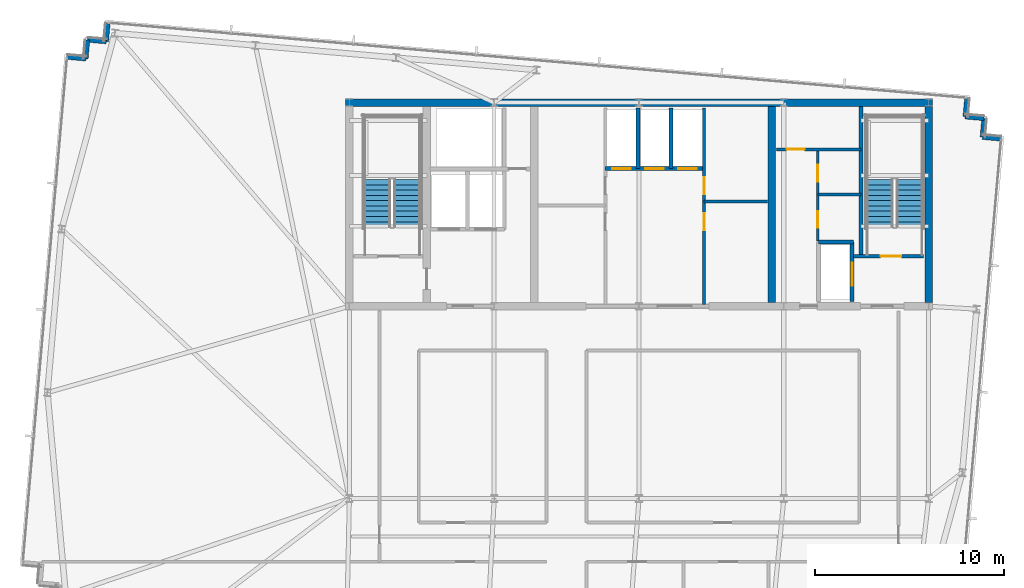
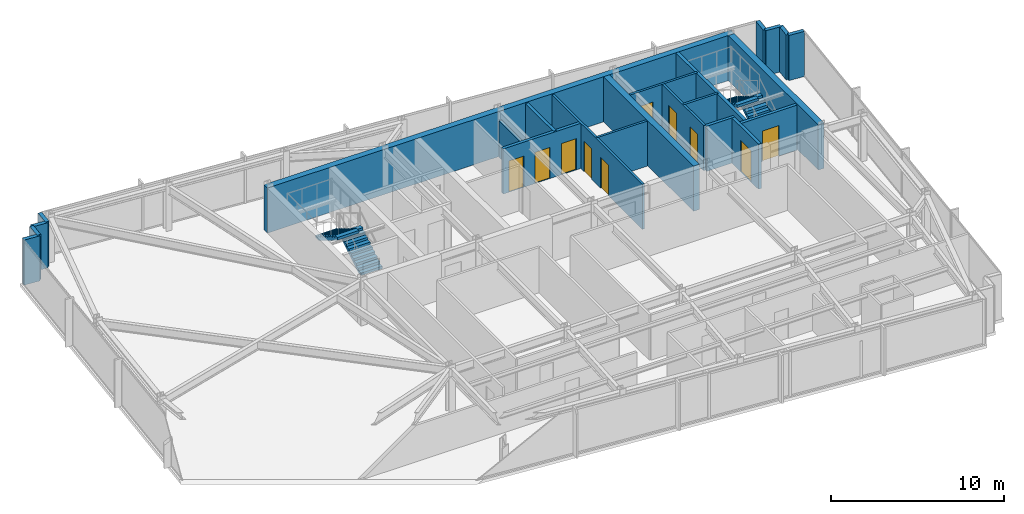
# One storey, part 28 of 32: 23 walls, 10 doors, 4 stair flights, 10 openings, 2 elements without a shape of their own.
"""IFC4 building model written with IfcOpenShell, lengths in metres."""

from ifc_helpers import new_model, si_unit, direction, frame, frame_2d, origin, place, context, subcontext, project, spatial, polyline, rectangle, outline, extrude, material, layer, layer_set, type_object, element, fill, aggregate, save


model = new_model("IFC4")

# Units and contexts
model_context = context("Model", 3, precision=1e-05, world=origin(), true_north=direction((0.0, 1.0)))
body_context = subcontext(model_context, "Body", "Model", "MODEL_VIEW")
ifc_project = project(units=[si_unit("LENGTHUNIT", "METRE"), si_unit("AREAUNIT", "SQUARE_METRE"), si_unit("VOLUMEUNIT", "CUBIC_METRE"), si_unit("PLANEANGLEUNIT", "RADIAN"), si_unit("MASSUNIT", "GRAM", prefix="KILO")], contexts=[model_context])

# Site, building, storey
site_placement = place(None, origin())
site = spatial("IfcSite", under=ifc_project, at=site_placement, CompositionType="ELEMENT")
building_placement = place(site_placement, origin())
building = spatial("IfcBuilding", under=site, at=building_placement, Name="Yelkora Congress Tower", CompositionType="ELEMENT")
storey_placement = place(building_placement, frame((0.0, 0.0, 279.5)))
storey = spatial("IfcBuildingStorey", under=building, at=storey_placement, Name="L78", CompositionType="ELEMENT", Elevation=279.5)

# Walls
ifc_material_1 = material(Name="Concrete C50/60", Category="concrete")
ifc_layer_1 = layer(ifc_material_1, 0.219970703125)
ifc_layer_set_1 = layer_set([ifc_layer_1], Name="Concrete C50/60")
wall_type_1 = type_object("IfcWallType", Name="WALL-CORE-INT-220", PredefinedType="SHEAR", material=ifc_layer_set_1)
wall_1_placement = place(storey_placement, frame((50.179931640625, 38.050048828125, 0.0), z_axis=(0.0, 0.0, 1.0), x_axis=(0.0, 1.0, 0.0)))
element("IfcWall", 1, at=wall_1_placement, inside=storey, type_object=wall_type_1, Name="L78 ST02 West Stair Shear Wall", PredefinedType="SHEAR", context=body_context, shape_type="SweptSolid", body=[
    extrude(rectangle(XDim=7.949951171875, YDim=0.219970703125, at=frame_2d((3.97509765625, 0.0))), origin(), (0.0, 0.0, 1.0), 3.179931640625),
])
ifc_layer_2 = layer(ifc_material_1, 0.39990234375)
ifc_layer_set_2 = layer_set([ifc_layer_2], Name="Concrete C50/60")
wall_type_2 = type_object("IfcWallType", Name="WALL-CORE-INT-400", PredefinedType="SHEAR", material=ifc_layer_set_2)
wall_2_placement = place(storey_placement, frame((22.840087890625, 46.199951171875, 0.0), z_axis=(0.0, 0.0, 1.0), x_axis=(1.0, 0.0, 0.0)))
element("IfcWall", 2, at=wall_2_placement, inside=storey, type_object=wall_type_2, Name="L78 Rear Core North Shear Wall", PredefinedType="SHEAR", context=body_context, shape_type="SweptSolid", body=[
    extrude(rectangle(XDim=31.119873046875, YDim=0.39990234375, at=frame_2d((15.56005859375, 0.0))), origin(), (0.0, 0.0, 1.0), 3.179931640625),
])
for number, where, z_axis, x_axis, name in (
    (3, (45.449951171875, 35.60009765625, 0.0), (0.0, 0.0, 1.0), (0.0, 1.0, 0.0), "L78 Rear Core Cross Shear Wall C3"),
    (4, (53.760009765625, 35.60009765625, 0.0), (0.0, 0.0, 1.0), (0.0, 1.0, 0.0), "L78 Rear Core Cross Shear Wall E"),
):
    element("IfcWall", number, at=place(storey_placement, frame(where, z_axis=z_axis, x_axis=x_axis)), inside=storey, type_object=wall_type_2, Name=name, PredefinedType="SHEAR", context=body_context, shape_type="SweptSolid", body=[
        extrude(rectangle(XDim=10.39990234375, YDim=0.39990234375, at=frame_2d((5.199951171875, 0.0))), origin(), (0.0, 0.0, 1.0), 3.179931640625),
    ])
ifc_material_2 = material(Name="Concrete C40/50", Category="concrete")
ifc_layer_3 = layer(ifc_material_2, 0.239990234375)
ifc_layer_set_3 = layer_set([ifc_layer_3], Name="Concrete C40/50")
wall_type_3 = type_object("IfcWallType", Name="WALL-EXT-LIMESTONE-240", PredefinedType="SOLIDWALL", material=ifc_layer_set_3)
for number, where, z_axis, x_axis, name in (
    (5, (8.0732421875, 48.609619140625, 0.0), (0.0, 0.0, 1.0), (0.996195572005, -0.087145753297, 0.0), "L78 Serrated Corner Limestone Pier 6"),
    (6, (9.069580078125, 48.5224609375, 0.0), (0.0, 0.0, 1.0), (0.087145753297, 0.996195572005, 0.0), "L78 Serrated Corner Limestone Pier 7"),
):
    element("IfcWall", number, at=place(storey_placement, frame(where, z_axis=z_axis, x_axis=x_axis)), inside=storey, type_object=wall_type_3, Name=name, PredefinedType="SOLIDWALL", context=body_context, shape_type="SweptSolid", body=[
        extrude(rectangle(XDim=1.000244140625, YDim=0.239990234375, at=frame_2d((0.5, 0.0))), origin(), (0.0, 0.0, 1.0), 3.179931640625),
    ])
for number, where, z_axis, x_axis, name in (
    (7, (9.15673828125, 49.518798828125, 0.0), (0.0, 0.0, 1.0), (0.996193717496, -0.087166950281, 0.0), "L78 Serrated Corner Limestone Pier 8"),
    (8, (10.15283203125, 49.431640625, 0.0), (0.0, 0.0, 1.0), (0.087166950281, 0.996193717496, 0.0), "L78 Serrated Corner Limestone Pier 9"),
    (9, (55.785888671875, 46.443115234375, 0.0), (0.0, 0.0, 1.0), (-0.086903493655, -0.996216734848, 0.0), "L78 Serrated Corner Limestone Pier 11"),
    (10, (55.698974609375, 45.44677734375, 0.0), (0.0, 0.0, 1.0), (0.996193717496, -0.087166950281, 0.0), "L78 Serrated Corner Limestone Pier 12"),
    (11, (56.695068359375, 45.359619140625, 0.0), (0.0, 0.0, 1.0), (-0.087166950281, -0.996193717496, 0.0), "L78 Serrated Corner Limestone Pier 13"),
    (12, (56.60791015625, 44.363525390625, 0.0), (0.0, 0.0, 1.0), (0.996193717496, -0.087166950281, 0.0), "L78 Serrated Corner Limestone Pier 14"),
):
    element("IfcWall", number, at=place(storey_placement, frame(where, z_axis=z_axis, x_axis=x_axis)), inside=storey, type_object=wall_type_3, Name=name, PredefinedType="SOLIDWALL", context=body_context, shape_type="SweptSolid", body=[
        extrude(rectangle(XDim=1.0, YDim=0.239990234375, at=frame_2d((0.5, 0.0))), origin(), (0.0, 0.0, 1.0), 3.179931640625),
    ])

# Wall, opening, door
ifc_material_3 = material(Name="Acoustic metal-stud gypsum partition", Category="gypsum")
ifc_layer_4 = layer(ifc_material_3, 0.14990234375)
ifc_layer_set_4 = layer_set([ifc_layer_4], Name="Acoustic metal-stud gypsum partition")
wall_type_4 = type_object("IfcWallType", Name="WALL-INT-150-NR", PredefinedType="PARTITIONING", material=ifc_layer_set_4)
wall_3_placement = place(storey_placement, frame((45.679931640625, 43.719970703125, 0.0), z_axis=(0.0, 0.0, 1.0), x_axis=(1.0, 0.0, 0.0)))
wall_3 = element("IfcWall", 13, at=wall_3_placement, inside=storey, type_object=wall_type_4, Name="L78 Partition Wall 20", PredefinedType="PARTITIONING", context=body_context, shape_type="SweptSolid", body=[
    extrude(rectangle(XDim=4.5, YDim=0.14990234375, at=frame_2d((2.25, 0.0))), origin(), (0.0, 0.0, 1.0), 3.179931640625),
])
opening_1_placement = place(wall_3_placement, frame((0.550048828125, 0.0, 0.0)))
opening_1 = element("IfcOpeningElement", 14, at=opening_1_placement, cuts=wall_3, Name="Opening DR-095N", PredefinedType="OPENING", context=body_context, shape_type="SweptSolid", body=[
    extrude(rectangle(XDim=0.949951171875, YDim=2.14990234375, at=frame_2d((0.47509765625, 1.074951171875))), frame((0.0, 0.0849609375, 0.0), z_axis=(0.0, -1.0, 0.0), x_axis=(1.0, 0.0, 0.0)), (0.0, 0.0, 1.0), 0.169921875),
])
ifc_material_4 = material(Name="Acoustic laminated timber office door", Category="wood")
door_type_1 = type_object("IfcDoorType", Name="DOOR-INT-950", OperationType="NOTDEFINED", PredefinedType="DOOR", material=ifc_material_4)
door_1_placement = place(opening_1_placement, origin())
door_1 = element("IfcDoor", 15, at=door_1_placement, inside=storey, type_object=door_type_1, Name="L78 Accessible WC Door", OperationType="SINGLE_SWING_LEFT", OverallHeight=2.14990234375, OverallWidth=0.949951171875, PredefinedType="DOOR", context=body_context, shape_type="SweptSolid", body=[
    extrude(rectangle(XDim=0.949951171875, YDim=2.14990234375, at=frame_2d((0.47509765625, 1.074951171875))), frame((0.0, 0.02490234375, 0.0), z_axis=(0.0, -1.0, 0.0), x_axis=(1.0, 0.0, 0.0)), (0.0, 0.0, 1.0), 0.050048828125),
])
fill(opening_1, door_1)

# Wall
wall_4_placement = place(storey_placement, frame((47.8798828125, 41.320068359375, 0.0), z_axis=(0.0, 0.0, 1.0), x_axis=(1.0, 0.0, 0.0)))
element("IfcWall", 16, at=wall_4_placement, inside=storey, type_object=wall_type_4, Name="L78 Partition Wall 21", PredefinedType="PARTITIONING", context=body_context, shape_type="SweptSolid", body=[
    extrude(rectangle(XDim=2.300048828125, YDim=0.14990234375, at=frame_2d((1.14990234375, 0.0))), origin(), (0.0, 0.0, 1.0), 3.179931640625),
])

# Wall, openings, doors
wall_5_placement = place(storey_placement, frame((47.8798828125, 38.85009765625, 0.0), z_axis=(0.0, 0.0, 1.0), x_axis=(0.0, 1.0, 0.0)))
wall_5 = element("IfcWall", 17, at=wall_5_placement, inside=storey, type_object=wall_type_4, Name="L78 Partition Wall 22", PredefinedType="PARTITIONING", context=body_context, shape_type="SweptSolid", body=[
    extrude(rectangle(XDim=4.869873046875, YDim=0.14990234375, at=frame_2d((2.43505859375, 0.0))), origin(), (0.0, 0.0, 1.0), 3.179931640625),
])
opening_2_placement = place(wall_5_placement, frame((0.699951171875, 0.0, 0.0)))
opening_2 = element("IfcOpeningElement", 18, at=opening_2_placement, cuts=wall_5, Name="Opening DR-090N", PredefinedType="OPENING", context=body_context, shape_type="SweptSolid", body=[
    extrude(rectangle(XDim=0.89990234375, YDim=2.14990234375, at=frame_2d((0.449951171875, 1.074951171875))), frame((0.0, 0.0849609375, 0.0), z_axis=(0.0, -1.0, 0.0), x_axis=(1.0, 0.0, 0.0)), (0.0, 0.0, 1.0), 0.169921875),
])
opening_3_placement = place(wall_5_placement, frame((3.14990234375, 0.0, 0.0)))
opening_3 = element("IfcOpeningElement", 19, at=opening_3_placement, cuts=wall_5, Name="Opening DR-090N", PredefinedType="OPENING", context=body_context, shape_type="SweptSolid", body=[
    extrude(rectangle(XDim=0.89990234375, YDim=2.14990234375, at=frame_2d((0.449951171875, 1.074951171875))), frame((0.0, 0.0849609375, 0.0), z_axis=(0.0, -1.0, 0.0), x_axis=(1.0, 0.0, 0.0)), (0.0, 0.0, 1.0), 0.169921875),
])
ifc_material_5 = material(Name="Moisture-resistant laminate door leaf", Category="wood")
door_type_2 = type_object("IfcDoorType", Name="DOOR-INT-900", OperationType="NOTDEFINED", PredefinedType="DOOR", material=ifc_material_5)
door_2_placement = place(opening_2_placement, origin())
door_2 = element("IfcDoor", 20, at=door_2_placement, inside=storey, type_object=door_type_2, Name="L78 Male WC Door", OperationType="SINGLE_SWING_RIGHT", OverallHeight=2.14990234375, OverallWidth=0.89990234375, PredefinedType="DOOR", context=body_context, shape_type="SweptSolid", body=[
    extrude(rectangle(XDim=0.89990234375, YDim=2.14990234375, at=frame_2d((0.449951171875, 1.074951171875))), frame((0.0, 0.02490234375, 0.0), z_axis=(0.0, -1.0, 0.0), x_axis=(1.0, 0.0, 0.0)), (0.0, 0.0, 1.0), 0.050048828125),
])
fill(opening_2, door_2)
door_3_placement = place(opening_3_placement, origin())
door_3 = element("IfcDoor", 21, at=door_3_placement, inside=storey, type_object=door_type_2, Name="L78 Female WC Door", OperationType="SINGLE_SWING_LEFT", OverallHeight=2.14990234375, OverallWidth=0.89990234375, PredefinedType="DOOR", context=body_context, shape_type="SweptSolid", body=[
    extrude(rectangle(XDim=0.89990234375, YDim=2.14990234375, at=frame_2d((0.449951171875, 1.074951171875))), frame((0.0, 0.02490234375, 0.0), z_axis=(0.0, -1.0, 0.0), x_axis=(1.0, 0.0, 0.0)), (0.0, 0.0, 1.0), 0.050048828125),
])
fill(opening_3, door_3)

# Wall
ifc_material_6 = material(Name="Twin-stud fire-rated gypsum partition", Category="gypsum")
ifc_layer_5 = layer(ifc_material_6, 0.14990234375)
ifc_layer_set_5 = layer_set([ifc_layer_5], Name="Twin-stud fire-rated gypsum partition")
wall_type_5 = type_object("IfcWallType", Name="WALL-INT-150-R60", PredefinedType="PARTITIONING", material=ifc_layer_set_5)
wall_6_placement = place(storey_placement, frame((41.85009765625, 40.949951171875, 0.0), z_axis=(0.0, 0.0, 1.0), x_axis=(1.0, 0.0, 0.0)))
element("IfcWall", 22, at=wall_6_placement, inside=storey, type_object=wall_type_5, Name="L78 Partition Wall 13", PredefinedType="PARTITIONING", context=body_context, shape_type="SweptSolid", body=[
    extrude(rectangle(XDim=3.369873046875, YDim=0.14990234375, at=frame_2d((1.68505859375, 0.0))), origin(), (0.0, 0.0, 1.0), 3.179931640625),
])

# Wall, openings, doors
wall_7_placement = place(storey_placement, frame((41.85009765625, 35.5, 0.0), z_axis=(0.0, 0.0, 1.0), x_axis=(0.0, 1.0, 0.0)))
wall_7 = element("IfcWall", 23, at=wall_7_placement, inside=storey, type_object=wall_type_5, Name="L78 Partition Wall 14", PredefinedType="PARTITIONING", context=body_context, shape_type="SweptSolid", body=[
    extrude(rectangle(XDim=10.419921875, YDim=0.14990234375, at=frame_2d((5.2099609375, 0.0))), origin(), (0.0, 0.0, 1.0), 3.179931640625),
])
opening_4_placement = place(wall_7_placement, frame((3.919921875, 0.0, 0.0)))
opening_4 = element("IfcOpeningElement", 24, at=opening_4_placement, cuts=wall_7, Name="Opening DR-090F6", PredefinedType="OPENING", context=body_context, shape_type="SweptSolid", body=[
    extrude(rectangle(XDim=0.89990234375, YDim=2.14990234375, at=frame_2d((0.449951171875, 1.074951171875))), frame((0.0, 0.0849609375, 0.0), z_axis=(0.0, -1.0, 0.0), x_axis=(1.0, 0.0, 0.0)), (0.0, 0.0, 1.0), 0.169921875),
])
opening_5_placement = place(wall_7_placement, frame((5.85009765625, 0.0, 0.0)))
opening_5 = element("IfcOpeningElement", 25, at=opening_5_placement, cuts=wall_7, Name="Opening DR-090F6", PredefinedType="OPENING", context=body_context, shape_type="SweptSolid", body=[
    extrude(rectangle(XDim=0.89990234375, YDim=2.14990234375, at=frame_2d((0.449951171875, 1.074951171875))), frame((0.0, 0.0849609375, 0.0), z_axis=(0.0, -1.0, 0.0), x_axis=(1.0, 0.0, 0.0)), (0.0, 0.0, 1.0), 0.169921875),
])
ifc_material_7 = material(Name="Painted steel riser fire door leaf", Category="steel")
door_type_3 = type_object("IfcDoorType", Name="DOOR-FD60-900", OperationType="NOTDEFINED", PredefinedType="DOOR", material=ifc_material_7)
door_4_placement = place(opening_4_placement, origin())
door_4 = element("IfcDoor", 26, at=door_4_placement, inside=storey, type_object=door_type_3, Name="L78 High-Zone BMS Door", OperationType="SINGLE_SWING_RIGHT", OverallHeight=2.14990234375, OverallWidth=0.89990234375, PredefinedType="DOOR", context=body_context, shape_type="SweptSolid", body=[
    extrude(rectangle(XDim=0.89990234375, YDim=2.14990234375, at=frame_2d((0.449951171875, 1.074951171875))), frame((0.0, 0.02490234375, 0.0), z_axis=(0.0, -1.0, 0.0), x_axis=(1.0, 0.0, 0.0)), (0.0, 0.0, 1.0), 0.050048828125),
])
fill(opening_4, door_4)
door_5_placement = place(opening_5_placement, origin())
door_5 = element("IfcDoor", 27, at=door_5_placement, inside=storey, type_object=door_type_3, Name="L78 Linen Store Door", OperationType="SINGLE_SWING_LEFT", OverallHeight=2.14990234375, OverallWidth=0.89990234375, PredefinedType="DOOR", context=body_context, shape_type="SweptSolid", body=[
    extrude(rectangle(XDim=0.89990234375, YDim=2.14990234375, at=frame_2d((0.449951171875, 1.074951171875))), frame((0.0, 0.02490234375, 0.0), z_axis=(0.0, -1.0, 0.0), x_axis=(1.0, 0.0, 0.0)), (0.0, 0.0, 1.0), 0.050048828125),
])
fill(opening_5, door_5)

ifc_material_8 = material(Name="Autoclaved aerated concrete blockwork", Category="masonry")
ifc_layer_6 = layer(ifc_material_8, 0.199951171875)
ifc_layer_set_6 = layer_set([ifc_layer_6], Name="Autoclaved aerated concrete blockwork")
wall_type_6 = type_object("IfcWallType", Name="WALL-INT-200-R120", PredefinedType="PARTITIONING", material=ifc_layer_set_6)
wall_8_placement = place(storey_placement, frame((36.60009765625, 42.699951171875, 0.0), z_axis=(0.0, 0.0, 1.0), x_axis=(1.0, 0.0, 0.0)))
wall_8 = element("IfcWall", 28, at=wall_8_placement, inside=storey, type_object=wall_type_6, Name="L78 Partition Wall 8", PredefinedType="PARTITIONING", context=body_context, shape_type="SweptSolid", body=[
    extrude(rectangle(XDim=5.25, YDim=0.199951171875, at=frame_2d((2.625, 0.0))), origin(), (0.0, 0.0, 1.0), 3.179931640625),
])
opening_6_placement = place(wall_8_placement, frame((0.375, 0.0, 0.0)))
opening_6 = element("IfcOpeningElement", 29, at=opening_6_placement, cuts=wall_8, Name="Opening LD-PS10", PredefinedType="OPENING", context=body_context, shape_type="SweptSolid", body=[
    extrude(rectangle(XDim=1.0, YDim=2.199951171875, at=frame_2d((0.5, 1.10009765625))), frame((0.0, 0.10986328125, 0.0), z_axis=(0.0, -1.0, 0.0), x_axis=(1.0, 0.0, 0.0)), (0.0, 0.0, 1.0), 0.219970703125),
])
opening_7_placement = place(wall_8_placement, frame((2.125, 0.0, 0.0)))
opening_7 = element("IfcOpeningElement", 30, at=opening_7_placement, cuts=wall_8, Name="Opening LD-PS10", PredefinedType="OPENING", context=body_context, shape_type="SweptSolid", body=[
    extrude(rectangle(XDim=1.0, YDim=2.199951171875, at=frame_2d((0.5, 1.10009765625))), frame((0.0, 0.10986328125, 0.0), z_axis=(0.0, -1.0, 0.0), x_axis=(1.0, 0.0, 0.0)), (0.0, 0.0, 1.0), 0.219970703125),
])
opening_8_placement = place(wall_8_placement, frame((3.875, 0.0, 0.0)))
opening_8 = element("IfcOpeningElement", 31, at=opening_8_placement, cuts=wall_8, Name="Opening LD-PS10", PredefinedType="OPENING", context=body_context, shape_type="SweptSolid", body=[
    extrude(rectangle(XDim=1.0, YDim=2.199951171875, at=frame_2d((0.5, 1.10009765625))), frame((0.0, 0.10986328125, 0.0), z_axis=(0.0, -1.0, 0.0), x_axis=(1.0, 0.0, 0.0)), (0.0, 0.0, 1.0), 0.219970703125),
])
ifc_material_9 = material(Name="Champagne stainless steel landing door", Category="steel")
door_type_4 = type_object("IfcDoorType", Name="DOOR-LIFT-PAS-1000", OperationType="DOUBLE_DOOR_SLIDING", PredefinedType="DOOR", material=ifc_material_9)
door_6_placement = place(opening_6_placement, origin())
door_6 = element("IfcDoor", 32, at=door_6_placement, inside=storey, type_object=door_type_4, Name="Lift Landing Door LF-P9 L78", OperationType="DOUBLE_DOOR_SLIDING", OverallHeight=2.199951171875, OverallWidth=1.0, PredefinedType="DOOR", context=body_context, shape_type="SweptSolid", body=[
    extrude(rectangle(XDim=1.0, YDim=2.199951171875, at=frame_2d((0.5, 1.10009765625))), frame((0.0, 0.02490234375, 0.0), z_axis=(0.0, -1.0, 0.0), x_axis=(1.0, 0.0, 0.0)), (0.0, 0.0, 1.0), 0.050048828125),
])
fill(opening_6, door_6)
door_7_placement = place(opening_7_placement, origin())
door_7 = element("IfcDoor", 33, at=door_7_placement, inside=storey, type_object=door_type_4, Name="Lift Landing Door LF-P10 L78", OperationType="DOUBLE_DOOR_SLIDING", OverallHeight=2.199951171875, OverallWidth=1.0, PredefinedType="DOOR", context=body_context, shape_type="SweptSolid", body=[
    extrude(rectangle(XDim=1.0, YDim=2.199951171875, at=frame_2d((0.5, 1.10009765625))), frame((0.0, 0.02490234375, 0.0), z_axis=(0.0, -1.0, 0.0), x_axis=(1.0, 0.0, 0.0)), (0.0, 0.0, 1.0), 0.050048828125),
])
fill(opening_7, door_7)
door_8_placement = place(opening_8_placement, origin())
door_8 = element("IfcDoor", 34, at=door_8_placement, inside=storey, type_object=door_type_4, Name="Lift Landing Door LF-P11 L78", OperationType="DOUBLE_DOOR_SLIDING", OverallHeight=2.199951171875, OverallWidth=1.0, PredefinedType="DOOR", context=body_context, shape_type="SweptSolid", body=[
    extrude(rectangle(XDim=1.0, YDim=2.199951171875, at=frame_2d((0.5, 1.10009765625))), frame((0.0, 0.02490234375, 0.0), z_axis=(0.0, -1.0, 0.0), x_axis=(1.0, 0.0, 0.0)), (0.0, 0.0, 1.0), 0.050048828125),
])
fill(opening_8, door_8)

# Walls
wall_9_placement = place(storey_placement, frame((38.35009765625, 42.699951171875, 0.0), z_axis=(0.0, 0.0, 1.0), x_axis=(0.0, 1.0, 0.0)))
element("IfcWall", 35, at=wall_9_placement, inside=storey, type_object=wall_type_6, Name="L78 Partition Wall 9", PredefinedType="PARTITIONING", context=body_context, shape_type="SweptSolid", body=[
    extrude(rectangle(XDim=3.219970703125, YDim=0.199951171875, at=frame_2d((1.60986328125, 0.0))), origin(), (0.0, 0.0, 1.0), 2.574951171875),
])
wall_10_placement = place(storey_placement, frame((40.10009765625, 42.699951171875, 0.0), z_axis=(0.0, 0.0, 1.0), x_axis=(0.0, 1.0, 0.0)))
element("IfcWall", 36, at=wall_10_placement, inside=storey, type_object=wall_type_6, Name="L78 Partition Wall 10", PredefinedType="PARTITIONING", context=body_context, shape_type="SweptSolid", body=[
    extrude(rectangle(XDim=3.219970703125, YDim=0.199951171875, at=frame_2d((1.60986328125, 0.0))), origin(), (0.0, 0.0, 1.0), 3.179931640625),
])

# Wall, opening, door
wall_11_placement = place(storey_placement, frame((49.780029296875, 38.050048828125, 0.0), z_axis=(0.0, 0.0, 1.0), x_axis=(1.0, 0.0, 0.0)))
wall_11 = element("IfcWall", 37, at=wall_11_placement, inside=storey, type_object=wall_type_6, Name="L78 Stair ST-02 Enclosure Wall", PredefinedType="PARTITIONING", context=body_context, shape_type="SweptSolid", body=[
    extrude(rectangle(XDim=3.719970703125, YDim=0.199951171875, at=frame_2d((1.85986328125, 0.0))), origin(), (0.0, 0.0, 1.0), 3.179931640625),
])
opening_9_placement = place(wall_11_placement, frame((1.436279296875, 0.0, 0.0)))
opening_9 = element("IfcOpeningElement", 38, at=opening_9_placement, cuts=wall_11, Name="Opening DR-110F9", PredefinedType="OPENING", context=body_context, shape_type="SweptSolid", body=[
    extrude(rectangle(XDim=1.10009765625, YDim=2.14990234375, at=frame_2d((0.550048828125, 1.074951171875))), frame((0.0, 0.10986328125, 0.0), z_axis=(0.0, -1.0, 0.0), x_axis=(1.0, 0.0, 0.0)), (0.0, 0.0, 1.0), 0.219970703125),
])
ifc_material_10 = material(Name="Galvanised steel fire door leaf", Category="steel")
door_type_5 = type_object("IfcDoorType", Name="DOOR-FD90-1100", OperationType="NOTDEFINED", PredefinedType="DOOR", material=ifc_material_10)
door_9_placement = place(opening_9_placement, origin())
door_9 = element("IfcDoor", 39, at=door_9_placement, inside=storey, type_object=door_type_5, Name="L78 Stair ST-02 Entry Door", OperationType="SINGLE_SWING_RIGHT", OverallHeight=2.14990234375, OverallWidth=1.10009765625, PredefinedType="DOOR", context=body_context, shape_type="SweptSolid", body=[
    extrude(rectangle(XDim=1.10009765625, YDim=2.14990234375, at=frame_2d((0.550048828125, 1.074951171875))), frame((0.0, 0.02490234375, 0.0), z_axis=(0.0, -1.0, 0.0), x_axis=(1.0, 0.0, 0.0)), (0.0, 0.0, 1.0), 0.050048828125),
])
fill(opening_9, door_9)

wall_12_placement = place(storey_placement, frame((49.699951171875, 35.64990234375, 0.0), z_axis=(0.0, 0.0, 1.0), x_axis=(0.0, 1.0, 0.0)))
wall_12 = element("IfcWall", 40, at=wall_12_placement, inside=storey, type_object=wall_type_6, Name="L78 Partition Wall 17", PredefinedType="PARTITIONING", context=body_context, shape_type="SweptSolid", body=[
    extrude(rectangle(XDim=3.150146484375, YDim=0.199951171875, at=frame_2d((1.5751953125, 0.0))), origin(), (0.0, 0.0, 1.0), 3.179931640625),
])
opening_10_placement = place(wall_12_placement, frame((0.85009765625, 0.0, 0.0)))
opening_10 = element("IfcOpeningElement", 41, at=opening_10_placement, cuts=wall_12, Name="Opening LD-SV12", PredefinedType="OPENING", context=body_context, shape_type="SweptSolid", body=[
    extrude(rectangle(XDim=1.199951171875, YDim=2.199951171875, at=frame_2d((0.60009765625, 1.10009765625))), frame((0.0, 0.10986328125, 0.0), z_axis=(0.0, -1.0, 0.0), x_axis=(1.0, 0.0, 0.0)), (0.0, 0.0, 1.0), 0.219970703125),
])
ifc_material_11 = material(Name="Heavy-duty stainless steel landing door", Category="steel")
door_type_6 = type_object("IfcDoorType", Name="DOOR-LIFT-SRV-1200", OperationType="DOUBLE_DOOR_SLIDING", PredefinedType="DOOR", material=ifc_material_11)
door_10_placement = place(opening_10_placement, origin())
door_10 = element("IfcDoor", 42, at=door_10_placement, inside=storey, type_object=door_type_6, Name="Service Lift Landing Door LF-SV1 L78", OperationType="DOUBLE_DOOR_SLIDING", OverallHeight=2.199951171875, OverallWidth=1.199951171875, PredefinedType="DOOR", context=body_context, shape_type="SweptSolid", body=[
    extrude(rectangle(XDim=1.199951171875, YDim=2.199951171875, at=frame_2d((0.60009765625, 1.10009765625))), frame((0.0, 0.02490234375, 0.0), z_axis=(0.0, -1.0, 0.0), x_axis=(1.0, 0.0, 0.0)), (0.0, 0.0, 1.0), 0.050048828125),
])
fill(opening_10, door_10)

# Wall
wall_13_placement = place(storey_placement, frame((47.919921875, 38.800048828125, 0.0), z_axis=(0.0, 0.0, 1.0), x_axis=(1.0, 0.0, 0.0)))
element("IfcWall", 43, at=wall_13_placement, inside=storey, type_object=wall_type_6, Name="L78 Partition Wall 19", PredefinedType="PARTITIONING", context=body_context, shape_type="SweptSolid", body=[
    extrude(rectangle(XDim=1.860107421875, YDim=0.199951171875, at=frame_2d((0.93017578125, 0.0))), origin(), (0.0, 0.0, 1.0), 3.179931640625),
])

# Stair, stair flights
stair_type = type_object("IfcStairType", Name="STAIR-HT-1420-R20-170", PredefinedType="HALF_TURN_STAIR", material=ifc_material_2)
stair_1_placement = place(storey_placement, origin())
stair_1 = element("IfcStair", 44, at=stair_1_placement, inside=storey, type_object=stair_type, Name="West Core Protected Exit Stair ST-01 (L78)", PredefinedType="HALF_TURN_STAIR")
stair_flight_type = type_object("IfcStairFlightType", Name="FLIGHT-1420-N10-R170-G280", PredefinedType="STRAIGHT", material=ifc_material_2)
stair_flight_1_placement = place(storey_placement, frame((26.110107421875, 39.60009765625, 0.0), z_axis=(0.0, 0.0, 1.0), x_axis=(0.0, 1.0, 0.0)))
stair_flight_1 = element("IfcStairFlight", 45, at=stair_flight_1_placement, type_object=stair_flight_type, Name="ST-01 L78 Flight 1", NumberOfRisers=10, NumberOfTreads=9, PredefinedType="STRAIGHT", RiserHeight=0.17, TreadLength=0.28, context=body_context, shape_type="SweptSolid", body=[
    extrude(outline(polyline([(0.0, 0.0), (0.0, 0.169921875), (0.280029296875, 0.169921875), (0.280029296875, 0.340087890625), (0.56005859375, 0.340087890625), (0.56005859375, 0.510009765625), (0.840087890625, 0.510009765625), (0.840087890625, 0.679931640625), (1.1201171875, 0.679931640625), (1.1201171875, 0.85009765625), (1.39990234375, 0.85009765625), (1.39990234375, 1.02001953125), (1.679931640625, 1.02001953125), (1.679931640625, 1.18994140625), (1.9599609375, 1.18994140625), (1.9599609375, 1.360107421875), (2.239990234375, 1.360107421875), (2.239990234375, 1.530029296875), (2.52001953125, 1.530029296875), (2.52001953125, 1.699951171875), (2.52001953125, 1.343017578125), (0.30810546875, 0.0), (0.0, 0.0)])), frame((0.0, 0.7099609375, 0.0), z_axis=(0.0, -1.0, 0.0), x_axis=(1.0, 0.0, 0.0)), (0.0, 0.0, 1.0), 1.419921875),
])
stair_flight_2_placement = place(storey_placement, frame((24.530029296875, 42.1201171875, 1.699951171875), z_axis=(0.0, 0.0, 1.0), x_axis=(0.0, -1.0, 0.0)))
stair_flight_2 = element("IfcStairFlight", 46, at=stair_flight_2_placement, type_object=stair_flight_type, Name="ST-01 L78 Flight 2", NumberOfRisers=10, NumberOfTreads=9, PredefinedType="STRAIGHT", RiserHeight=0.17, TreadLength=0.28, context=body_context, shape_type="SweptSolid", body=[
    extrude(outline(polyline([(0.0, 0.0), (0.0, 0.169921875), (0.280029296875, 0.169921875), (0.280029296875, 0.340087890625), (0.56005859375, 0.340087890625), (0.56005859375, 0.510009765625), (0.840087890625, 0.510009765625), (0.840087890625, 0.679931640625), (1.1201171875, 0.679931640625), (1.1201171875, 0.85009765625), (1.39990234375, 0.85009765625), (1.39990234375, 1.02001953125), (1.679931640625, 1.02001953125), (1.679931640625, 1.18994140625), (1.9599609375, 1.18994140625), (1.9599609375, 1.360107421875), (2.239990234375, 1.360107421875), (2.239990234375, 1.530029296875), (2.52001953125, 1.530029296875), (2.52001953125, 1.699951171875), (2.52001953125, 1.343017578125), (0.30810546875, 0.0), (0.0, 0.0)])), frame((0.0, 0.7099609375, 0.0), z_axis=(0.0, -1.0, 0.0), x_axis=(1.0, 0.0, 0.0)), (0.0, 0.0, 1.0), 1.419921875),
])
aggregate(stair_1, [stair_flight_1, stair_flight_2])

stair_2_placement = place(storey_placement, origin())
stair_2 = element("IfcStair", 47, at=stair_2_placement, inside=storey, type_object=stair_type, Name="East Core Protected Exit Stair ST-02 (L78)", PredefinedType="HALF_TURN_STAIR")
stair_flight_3_placement = place(storey_placement, frame((52.75, 39.60009765625, 0.0), z_axis=(0.0, 0.0, 1.0), x_axis=(0.0, 1.0, 0.0)))
stair_flight_3 = element("IfcStairFlight", 48, at=stair_flight_3_placement, type_object=stair_flight_type, Name="ST-02 L78 Flight 1", NumberOfRisers=10, NumberOfTreads=9, PredefinedType="STRAIGHT", RiserHeight=0.17, TreadLength=0.28, context=body_context, shape_type="SweptSolid", body=[
    extrude(outline(polyline([(0.0, 0.0), (0.0, 0.169921875), (0.280029296875, 0.169921875), (0.280029296875, 0.340087890625), (0.56005859375, 0.340087890625), (0.56005859375, 0.510009765625), (0.840087890625, 0.510009765625), (0.840087890625, 0.679931640625), (1.1201171875, 0.679931640625), (1.1201171875, 0.85009765625), (1.39990234375, 0.85009765625), (1.39990234375, 1.02001953125), (1.679931640625, 1.02001953125), (1.679931640625, 1.18994140625), (1.9599609375, 1.18994140625), (1.9599609375, 1.360107421875), (2.239990234375, 1.360107421875), (2.239990234375, 1.530029296875), (2.52001953125, 1.530029296875), (2.52001953125, 1.699951171875), (2.52001953125, 1.343017578125), (0.30810546875, 0.0), (0.0, 0.0)])), frame((0.0, 0.7099609375, 0.0), z_axis=(0.0, -1.0, 0.0), x_axis=(1.0, 0.0, 0.0)), (0.0, 0.0, 1.0), 1.419921875),
])
stair_flight_4_placement = place(storey_placement, frame((51.169921875, 42.1201171875, 1.699951171875), z_axis=(0.0, 0.0, 1.0), x_axis=(0.0, -1.0, 0.0)))
stair_flight_4 = element("IfcStairFlight", 49, at=stair_flight_4_placement, type_object=stair_flight_type, Name="ST-02 L78 Flight 2", NumberOfRisers=10, NumberOfTreads=9, PredefinedType="STRAIGHT", RiserHeight=0.17, TreadLength=0.28, context=body_context, shape_type="SweptSolid", body=[
    extrude(outline(polyline([(0.0, 0.0), (0.0, 0.169921875), (0.280029296875, 0.169921875), (0.280029296875, 0.340087890625), (0.56005859375, 0.340087890625), (0.56005859375, 0.510009765625), (0.840087890625, 0.510009765625), (0.840087890625, 0.679931640625), (1.1201171875, 0.679931640625), (1.1201171875, 0.85009765625), (1.39990234375, 0.85009765625), (1.39990234375, 1.02001953125), (1.679931640625, 1.02001953125), (1.679931640625, 1.18994140625), (1.9599609375, 1.18994140625), (1.9599609375, 1.360107421875), (2.239990234375, 1.360107421875), (2.239990234375, 1.530029296875), (2.52001953125, 1.530029296875), (2.52001953125, 1.699951171875), (2.52001953125, 1.343017578125), (0.30810546875, 0.0), (0.0, 0.0)])), frame((0.0, 0.7099609375, 0.0), z_axis=(0.0, -1.0, 0.0), x_axis=(1.0, 0.0, 0.0)), (0.0, 0.0, 1.0), 1.419921875),
])
aggregate(stair_2, [stair_flight_3, stair_flight_4])

save(model, "model.ifc")
